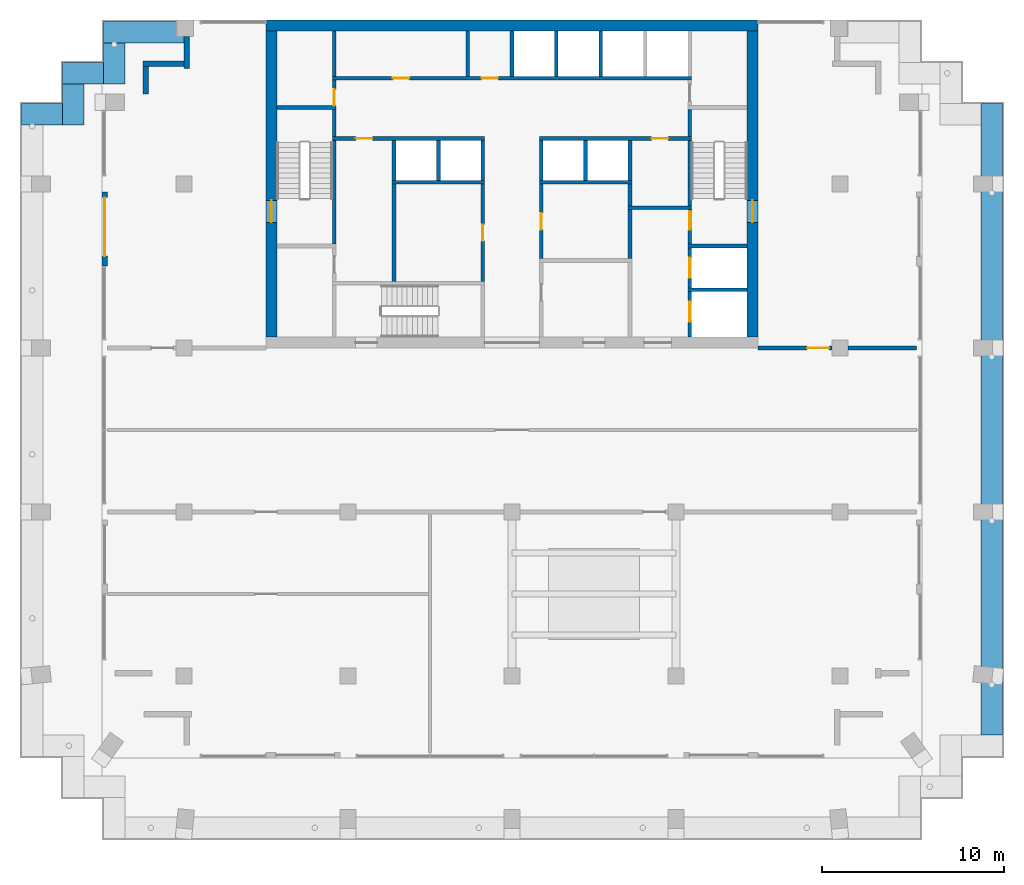
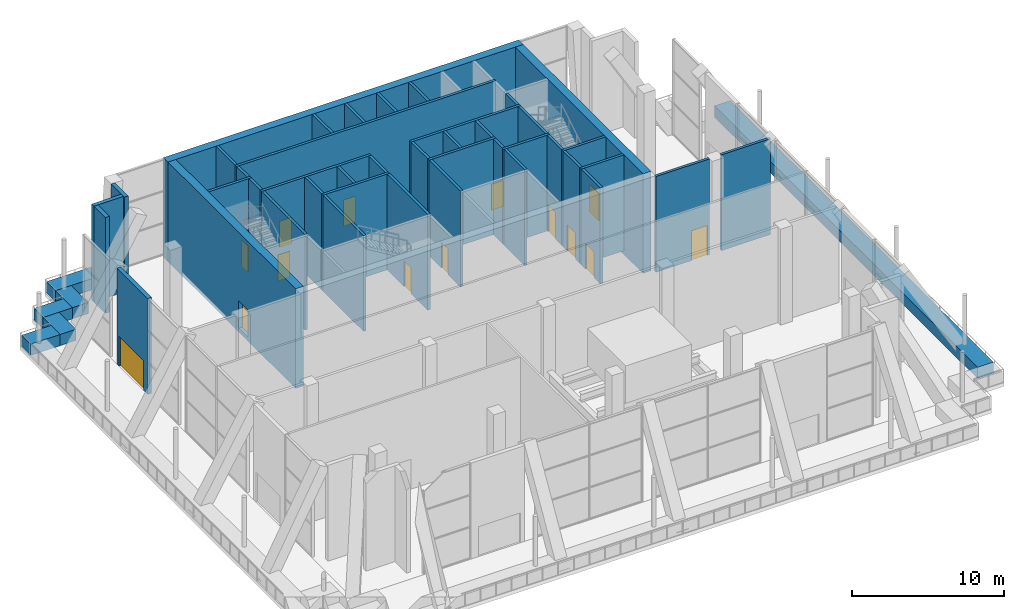
# One storey, part 8 of 12: 48 walls, 14 doors, 14 openings.
"""IFC4 building model written with IfcOpenShell, lengths in metres."""

from ifc_helpers import new_model, si_unit, direction, frame, frame_2d, origin, place, context, subcontext, project, spatial, rectangle, extrude, material, layer, layer_set, type_object, element, fill, save


model = new_model("IFC4")

# Units and contexts
model_context = context("Model", 3, precision=1e-05, world=origin(), true_north=direction((0.0, 1.0)))
body_context = subcontext(model_context, "Body", "Model", "MODEL_VIEW")
ifc_project = project(units=[si_unit("LENGTHUNIT", "METRE"), si_unit("AREAUNIT", "SQUARE_METRE"), si_unit("VOLUMEUNIT", "CUBIC_METRE"), si_unit("PLANEANGLEUNIT", "RADIAN"), si_unit("MASSUNIT", "GRAM", prefix="KILO")], contexts=[model_context])

# Site, building, storey
site_placement = place(None, origin())
site = spatial("IfcSite", under=ifc_project, at=site_placement, CompositionType="ELEMENT")
building_placement = place(site_placement, origin())
building = spatial("IfcBuilding", under=site, at=building_placement, Name="Orbiselva Terraces", CompositionType="ELEMENT")
storey_placement = place(building_placement, frame((0.0, 0.0, 289.4)))
storey = spatial("IfcBuildingStorey", under=building, at=storey_placement, Name="L73", CompositionType="ELEMENT", Elevation=289.4)

# Wall, opening, door
ifc_material_1 = material(Name="Concrete C80/95", Category="concrete")
ifc_layer_1 = layer(ifc_material_1, 0.6)
ifc_layer_set_1 = layer_set([ifc_layer_1], Name="Concrete C80/95")
wall_type_1 = type_object("IfcWallType", Name="CORE WALL 600", PredefinedType="SHEAR", material=ifc_layer_set_1)
wall_1_placement = place(storey_placement, frame((13.2, 5.1, -0.3), z_axis=(0.0, 0.0, 1.0), x_axis=(0.0, 1.0, 0.0)))
wall_1 = element("IfcWall", 1, at=wall_1_placement, inside=storey, type_object=wall_type_1, Name="Core wall L73 east", PredefinedType="SHEAR", context=body_context, shape_type="SweptSolid", body=[
    extrude(rectangle(XDim=16.8, YDim=0.6, at=frame_2d((8.4, 0.0))), origin(), (0.0, 0.0, 1.0), 8.0),
])
opening_1_placement = place(wall_1_placement, frame((6.3, 0.0, 0.3)))
opening_1 = element("IfcOpeningElement", 2, at=opening_1_placement, cuts=wall_1, Name="Opening DS1200", PredefinedType="OPENING", context=body_context, shape_type="SweptSolid", body=[
    extrude(rectangle(XDim=1.2, YDim=2.2, at=frame_2d((0.6, 1.1))), frame((0.0, 0.31, 0.0), z_axis=(0.0, -1.0, 0.0), x_axis=(1.0, 0.0, 0.0)), (0.0, 0.0, 1.0), 0.62),
])
ifc_material_2 = material(Name="Steel fire door", Category="steel")
door_type_1 = type_object("IfcDoorType", Name="STAIR DOOR 1200", OperationType="NOTDEFINED", PredefinedType="DOOR", material=ifc_material_2)
door_1_placement = place(opening_1_placement, frame((1.2, 0.0, 0.0), z_axis=(0.0, 0.0, 1.0), x_axis=(-1.0, 0.0, 0.0)))
door_1 = element("IfcDoor", 3, at=door_1_placement, inside=storey, type_object=door_type_1, Name="L73 EXIT STAIR S2 door", OperationType="SINGLE_SWING_LEFT", OverallHeight=2.2, OverallWidth=1.2, PredefinedType="DOOR", context=body_context, shape_type="SweptSolid", body=[
    extrude(rectangle(XDim=1.2, YDim=2.2, at=frame_2d((0.6, 1.1))), frame((0.0, 0.025, 0.0), z_axis=(0.0, -1.0, 0.0), x_axis=(1.0, 0.0, 0.0)), (0.0, 0.0, 1.0), 0.05),
])
fill(opening_1, door_1)

wall_2_placement = place(storey_placement, frame((-13.2, 21.9, -0.3), z_axis=(0.0, 0.0, 1.0), x_axis=(0.0, -1.0, 0.0)))
wall_2 = element("IfcWall", 4, at=wall_2_placement, inside=storey, type_object=wall_type_1, Name="Core wall L73 west", PredefinedType="SHEAR", context=body_context, shape_type="SweptSolid", body=[
    extrude(rectangle(XDim=16.8, YDim=0.6, at=frame_2d((8.4, 0.0))), origin(), (0.0, 0.0, 1.0), 8.0),
])
opening_2_placement = place(wall_2_placement, frame((9.3, 0.0, 0.3)))
opening_2 = element("IfcOpeningElement", 5, at=opening_2_placement, cuts=wall_2, Name="Opening DS1200", PredefinedType="OPENING", context=body_context, shape_type="SweptSolid", body=[
    extrude(rectangle(XDim=1.2, YDim=2.2, at=frame_2d((0.6, 1.1))), frame((0.0, 0.31, 0.0), z_axis=(0.0, -1.0, 0.0), x_axis=(1.0, 0.0, 0.0)), (0.0, 0.0, 1.0), 0.62),
])
door_2_placement = place(opening_2_placement, frame((1.2, 0.0, 0.0), z_axis=(0.0, 0.0, 1.0), x_axis=(-1.0, 0.0, 0.0)))
door_2 = element("IfcDoor", 6, at=door_2_placement, inside=storey, type_object=door_type_1, Name="L73 EXIT STAIR S1 door", OperationType="SINGLE_SWING_RIGHT", OverallHeight=2.2, OverallWidth=1.2, PredefinedType="DOOR", context=body_context, shape_type="SweptSolid", body=[
    extrude(rectangle(XDim=1.2, YDim=2.2, at=frame_2d((0.6, 1.1))), frame((0.0, 0.025, 0.0), z_axis=(0.0, -1.0, 0.0), x_axis=(1.0, 0.0, 0.0)), (0.0, 0.0, 1.0), 0.05),
])
fill(opening_2, door_2)

# Wall
ifc_layer_2 = layer(ifc_material_1, 0.6)
ifc_layer_set_2 = layer_set([ifc_layer_2], Name="Concrete C80/95")
wall_type_2 = type_object("IfcWallType", Name="CORE WALL 600 EXTERNAL", PredefinedType="SHEAR", material=ifc_layer_set_2)
wall_3_placement = place(storey_placement, frame((13.5, 22.2, -0.3), z_axis=(0.0, 0.0, 1.0), x_axis=(-1.0, 0.0, 0.0)))
element("IfcWall", 7, at=wall_3_placement, inside=storey, type_object=wall_type_2, Name="Core wall L73 north", PredefinedType="SHEAR", context=body_context, shape_type="SweptSolid", body=[
    extrude(rectangle(XDim=27.0, YDim=0.6, at=frame_2d((13.5, 0.0))), origin(), (0.0, 0.0, 1.0), 8.0),
])

# Wall, opening, door
ifc_material_3 = material(Name="Masonry blockwork", Category="masonry")
ifc_layer_3 = layer(ifc_material_3, 0.2)
ifc_layer_set_3 = layer_set([ifc_layer_3], Name="Masonry blockwork")
wall_type_3 = type_object("IfcWallType", Name="CORE-WALL-PARTITION-200", PredefinedType="PARTITIONING", material=ifc_layer_set_3)
wall_4_placement = place(storey_placement, frame((-9.75, 17.8, 0.0), z_axis=(0.0, 0.0, 1.0), x_axis=(0.0, 1.0, 0.0)))
wall_4 = element("IfcWall", 8, at=wall_4_placement, inside=storey, type_object=wall_type_3, Name="L73 core wall 09", PredefinedType="PARTITIONING", context=body_context, shape_type="SweptSolid", body=[
    extrude(rectangle(XDim=1.4, YDim=0.2, at=frame_2d((0.7, 0.0))), origin(), (0.0, 0.0, 1.0), 7.7),
])
opening_3_placement = place(wall_4_placement, origin())
opening_3 = element("IfcOpeningElement", 9, at=opening_3_placement, cuts=wall_4, Name="Opening DR900", PredefinedType="OPENING", context=body_context, shape_type="SweptSolid", body=[
    extrude(rectangle(XDim=0.9, YDim=2.1, at=frame_2d((0.45, 1.05))), frame((0.0, 0.11, 0.0), z_axis=(0.0, -1.0, 0.0), x_axis=(1.0, 0.0, 0.0)), (0.0, 0.0, 1.0), 0.22),
])
door_type_2 = type_object("IfcDoorType", Name="ROOM DOOR 900", OperationType="NOTDEFINED", PredefinedType="DOOR", material=ifc_material_2)
door_3_placement = place(opening_3_placement, origin())
door_3 = element("IfcDoor", 10, at=door_3_placement, inside=storey, type_object=door_type_2, Name="L73 COMMS RISER ROOM door", OperationType="SINGLE_SWING_LEFT", OverallHeight=2.1, OverallWidth=0.9, PredefinedType="DOOR", context=body_context, shape_type="SweptSolid", body=[
    extrude(rectangle(XDim=0.9, YDim=2.1, at=frame_2d((0.45, 1.05))), frame((0.0, 0.025, 0.0), z_axis=(0.0, -1.0, 0.0), x_axis=(1.0, 0.0, 0.0)), (0.0, 0.0, 1.0), 0.05),
])
fill(opening_3, door_3)

# Walls
wall_5_placement = place(storey_placement, frame((-9.75, 19.4, 0.0), z_axis=(0.0, 0.0, 1.0), x_axis=(0.0, 1.0, 0.0)))
element("IfcWall", 11, at=wall_5_placement, inside=storey, type_object=wall_type_3, Name="L73 core wall 11", PredefinedType="PARTITIONING", context=body_context, shape_type="SweptSolid", body=[
    extrude(rectangle(XDim=2.5, YDim=0.2, at=frame_2d((1.25, 0.0))), origin(), (0.0, 0.0, 1.0), 7.7),
])
wall_6_placement = place(storey_placement, frame((-6.475, 8.15, 0.0), z_axis=(0.0, 0.0, 1.0), x_axis=(0.0, 1.0, 0.0)))
element("IfcWall", 12, at=wall_6_placement, inside=storey, type_object=wall_type_3, Name="L73 core wall 12", PredefinedType="PARTITIONING", context=body_context, shape_type="SweptSolid", body=[
    extrude(rectangle(XDim=5.35, YDim=0.2, at=frame_2d((2.675, 0.0))), origin(), (0.0, 0.0, 1.0), 7.7),
])
wall_7_placement = place(storey_placement, frame((-2.4375, 19.4, 0.0), z_axis=(0.0, 0.0, 1.0), x_axis=(0.0, 1.0, 0.0)))
element("IfcWall", 13, at=wall_7_placement, inside=storey, type_object=wall_type_3, Name="L73 core wall 16", PredefinedType="PARTITIONING", context=body_context, shape_type="SweptSolid", body=[
    extrude(rectangle(XDim=2.5, YDim=0.2, at=frame_2d((1.25, 0.0))), origin(), (0.0, 0.0, 1.0), 7.7),
])
wall_8_placement = place(storey_placement, frame((6.475, 12.3, 0.0), z_axis=(0.0, 0.0, 1.0), x_axis=(0.0, 1.0, 0.0)))
element("IfcWall", 14, at=wall_8_placement, inside=storey, type_object=wall_type_3, Name="L73 core wall 33", PredefinedType="PARTITIONING", context=body_context, shape_type="SweptSolid", body=[
    extrude(rectangle(XDim=1.2, YDim=0.2, at=frame_2d((0.6, 0.0))), origin(), (0.0, 0.0, 1.0), 7.7),
])
ifc_material_4 = material(Name="Concrete C40/50", Category="concrete")
ifc_layer_4 = layer(ifc_material_4, 0.2)
ifc_layer_set_4 = layer_set([ifc_layer_4], Name="Concrete C40/50")
wall_type_4 = type_object("IfcWallType", Name="CORE-WALL-SHAFT-200", PredefinedType="PARTITIONING", material=ifc_layer_set_4)
for number, where, z_axis, x_axis, name in (
    (15, (-6.475, 13.7, 0.0), (0.0, 0.0, 1.0), (0.0, 1.0, 0.0), "L73 core wall 14"),
    (16, (-4.0375, 13.7, 0.0), (0.0, 0.0, 1.0), (0.0, 1.0, 0.0), "L73 core wall 15"),
    (17, (-1.6, 13.7, 0.0), (0.0, 0.0, 1.0), (0.0, 1.0, 0.0), "L73 core wall 19"),
):
    element("IfcWall", number, at=place(storey_placement, frame(where, z_axis=z_axis, x_axis=x_axis)), inside=storey, type_object=wall_type_4, Name=name, PredefinedType="PARTITIONING", context=body_context, shape_type="SweptSolid", body=[
        extrude(rectangle(XDim=2.2, YDim=0.2, at=frame_2d((1.1, 0.0))), origin(), (0.0, 0.0, 1.0), 7.7),
    ])
wall_9_placement = place(storey_placement, frame((0.0, 19.4, 0.0), z_axis=(0.0, 0.0, 1.0), x_axis=(0.0, 1.0, 0.0)))
element("IfcWall", 18, at=wall_9_placement, inside=storey, type_object=wall_type_4, Name="L73 core wall 20", PredefinedType="PARTITIONING", context=body_context, shape_type="SweptSolid", body=[
    extrude(rectangle(XDim=2.5, YDim=0.2, at=frame_2d((1.25, 0.0))), origin(), (0.0, 0.0, 1.0), 7.7),
])
wall_10_placement = place(storey_placement, frame((1.6, 13.7, 0.0), z_axis=(0.0, 0.0, 1.0), x_axis=(0.0, 1.0, 0.0)))
element("IfcWall", 19, at=wall_10_placement, inside=storey, type_object=wall_type_4, Name="L73 core wall 25", PredefinedType="PARTITIONING", context=body_context, shape_type="SweptSolid", body=[
    extrude(rectangle(XDim=2.2, YDim=0.2, at=frame_2d((1.1, 0.0))), origin(), (0.0, 0.0, 1.0), 7.7),
])
wall_11_placement = place(storey_placement, frame((2.4375, 19.4, 0.0), z_axis=(0.0, 0.0, 1.0), x_axis=(0.0, 1.0, 0.0)))
element("IfcWall", 20, at=wall_11_placement, inside=storey, type_object=wall_type_4, Name="L73 core wall 27", PredefinedType="PARTITIONING", context=body_context, shape_type="SweptSolid", body=[
    extrude(rectangle(XDim=2.5, YDim=0.2, at=frame_2d((1.25, 0.0))), origin(), (0.0, 0.0, 1.0), 7.7),
])
wall_12_placement = place(storey_placement, frame((4.0375, 13.7, 0.0), z_axis=(0.0, 0.0, 1.0), x_axis=(0.0, 1.0, 0.0)))
element("IfcWall", 21, at=wall_12_placement, inside=storey, type_object=wall_type_4, Name="L73 core wall 28", PredefinedType="PARTITIONING", context=body_context, shape_type="SweptSolid", body=[
    extrude(rectangle(XDim=2.2, YDim=0.2, at=frame_2d((1.1, 0.0))), origin(), (0.0, 0.0, 1.0), 7.7),
])
wall_13_placement = place(storey_placement, frame((4.875, 19.4, 0.0), z_axis=(0.0, 0.0, 1.0), x_axis=(0.0, 1.0, 0.0)))
element("IfcWall", 22, at=wall_13_placement, inside=storey, type_object=wall_type_4, Name="L73 core wall 29", PredefinedType="PARTITIONING", context=body_context, shape_type="SweptSolid", body=[
    extrude(rectangle(XDim=2.5, YDim=0.2, at=frame_2d((1.25, 0.0))), origin(), (0.0, 0.0, 1.0), 7.7),
])
wall_14_placement = place(storey_placement, frame((6.475, 13.7, 0.0), z_axis=(0.0, 0.0, 1.0), x_axis=(0.0, 1.0, 0.0)))
element("IfcWall", 23, at=wall_14_placement, inside=storey, type_object=wall_type_4, Name="L73 core wall 34", PredefinedType="PARTITIONING", context=body_context, shape_type="SweptSolid", body=[
    extrude(rectangle(XDim=2.2, YDim=0.2, at=frame_2d((1.1, 0.0))), origin(), (0.0, 0.0, 1.0), 7.7),
])
ifc_material_5 = material(Name="Concrete C60/75", Category="concrete")
ifc_layer_5 = layer(ifc_material_5, 0.2)
ifc_layer_set_5 = layer_set([ifc_layer_5], Name="Concrete C60/75")
wall_type_5 = type_object("IfcWallType", Name="CORE-WALL-SHEAR-200", PredefinedType="SHEAR", material=ifc_layer_set_5)
wall_15_placement = place(storey_placement, frame((-12.9, 17.7, 0.0), z_axis=(0.0, 0.0, 1.0), x_axis=(1.0, 0.0, 0.0)))
element("IfcWall", 24, at=wall_15_placement, inside=storey, type_object=wall_type_5, Name="L73 core wall 02", PredefinedType="SHEAR", context=body_context, shape_type="SweptSolid", body=[
    extrude(rectangle(XDim=3.25, YDim=0.2, at=frame_2d((1.625, 0.0))), origin(), (0.0, 0.0, 1.0), 7.7),
])
wall_16_placement = place(storey_placement, frame((-9.75, 10.2, 0.0), z_axis=(0.0, 0.0, 1.0), x_axis=(0.0, 1.0, 0.0)))
element("IfcWall", 25, at=wall_16_placement, inside=storey, type_object=wall_type_5, Name="L73 core wall 06", PredefinedType="SHEAR", context=body_context, shape_type="SweptSolid", body=[
    extrude(rectangle(XDim=5.7, YDim=0.2, at=frame_2d((2.85, 0.0))), origin(), (0.0, 0.0, 1.0), 7.7),
])

# Wall, opening, door
wall_17_placement = place(storey_placement, frame((-1.5, 16.0, 0.0), z_axis=(0.0, 0.0, 1.0), x_axis=(-1.0, 0.0, 0.0)))
wall_17 = element("IfcWall", 26, at=wall_17_placement, inside=storey, type_object=wall_type_5, Name="L73 core wall 07", PredefinedType="SHEAR", context=body_context, shape_type="SweptSolid", body=[
    extrude(rectangle(XDim=8.35, YDim=0.2, at=frame_2d((4.175, 0.0))), origin(), (0.0, 0.0, 1.0), 7.7),
])
opening_4_placement = place(wall_17_placement, frame((6.1625, 0.0, 0.0)))
opening_4 = element("IfcOpeningElement", 27, at=opening_4_placement, cuts=wall_17, Name="Opening DR900", PredefinedType="OPENING", context=body_context, shape_type="SweptSolid", body=[
    extrude(rectangle(XDim=0.9, YDim=2.1, at=frame_2d((0.45, 1.05))), frame((0.0, 0.11, 0.0), z_axis=(0.0, -1.0, 0.0), x_axis=(1.0, 0.0, 0.0)), (0.0, 0.0, 1.0), 0.22),
])
door_4_placement = place(opening_4_placement, origin())
door_4 = element("IfcDoor", 28, at=door_4_placement, inside=storey, type_object=door_type_2, Name="L73 MECHANICAL PLANT ROOM door", OperationType="SINGLE_SWING_RIGHT", OverallHeight=2.1, OverallWidth=0.9, PredefinedType="DOOR", context=body_context, shape_type="SweptSolid", body=[
    extrude(rectangle(XDim=0.9, YDim=2.1, at=frame_2d((0.45, 1.05))), frame((0.0, 0.025, 0.0), z_axis=(0.0, -1.0, 0.0), x_axis=(1.0, 0.0, 0.0)), (0.0, 0.0, 1.0), 0.05),
])
fill(opening_4, door_4)

# Wall
wall_18_placement = place(storey_placement, frame((-9.75, 16.1, 0.0), z_axis=(0.0, 0.0, 1.0), x_axis=(0.0, 1.0, 0.0)))
element("IfcWall", 29, at=wall_18_placement, inside=storey, type_object=wall_type_5, Name="L73 core wall 08", PredefinedType="SHEAR", context=body_context, shape_type="SweptSolid", body=[
    extrude(rectangle(XDim=1.5, YDim=0.2, at=frame_2d((0.75, 0.0))), origin(), (0.0, 0.0, 1.0), 7.7),
])

# Wall, openings, doors
wall_19_placement = place(storey_placement, frame((-9.85, 19.3, 0.0), z_axis=(0.0, 0.0, 1.0), x_axis=(1.0, 0.0, 0.0)))
wall_19 = element("IfcWall", 30, at=wall_19_placement, inside=storey, type_object=wall_type_5, Name="L73 core wall 10", PredefinedType="SHEAR", context=body_context, shape_type="SweptSolid", body=[
    extrude(rectangle(XDim=19.7, YDim=0.2, at=frame_2d((9.85, 0.0))), origin(), (0.0, 0.0, 1.0), 7.7),
])
opening_5_placement = place(wall_19_placement, frame((3.3062, 0.0, 0.0)))
opening_5 = element("IfcOpeningElement", 31, at=opening_5_placement, cuts=wall_19, Name="Opening DR900", PredefinedType="OPENING", context=body_context, shape_type="SweptSolid", body=[
    extrude(rectangle(XDim=0.9, YDim=2.1, at=frame_2d((0.45, 1.05))), frame((0.0, 0.11, 0.0), z_axis=(0.0, -1.0, 0.0), x_axis=(1.0, 0.0, 0.0)), (0.0, 0.0, 1.0), 0.22),
])
opening_6_placement = place(wall_19_placement, frame((8.1812, 0.0, 0.0)))
opening_6 = element("IfcOpeningElement", 32, at=opening_6_placement, cuts=wall_19, Name="Opening DR900", PredefinedType="OPENING", context=body_context, shape_type="SweptSolid", body=[
    extrude(rectangle(XDim=0.9, YDim=2.1, at=frame_2d((0.45, 1.05))), frame((0.0, 0.11, 0.0), z_axis=(0.0, -1.0, 0.0), x_axis=(1.0, 0.0, 0.0)), (0.0, 0.0, 1.0), 0.22),
])
door_5_placement = place(opening_5_placement, origin())
door_5 = element("IfcDoor", 33, at=door_5_placement, inside=storey, type_object=door_type_2, Name="L73 SERVICE LOUNGE door", OperationType="SINGLE_SWING_LEFT", OverallHeight=2.1, OverallWidth=0.9, PredefinedType="DOOR", context=body_context, shape_type="SweptSolid", body=[
    extrude(rectangle(XDim=0.9, YDim=2.1, at=frame_2d((0.45, 1.05))), frame((0.0, 0.025, 0.0), z_axis=(0.0, -1.0, 0.0), x_axis=(1.0, 0.0, 0.0)), (0.0, 0.0, 1.0), 0.05),
])
fill(opening_5, door_5)
door_6_placement = place(opening_6_placement, origin())
door_6 = element("IfcDoor", 34, at=door_6_placement, inside=storey, type_object=door_type_2, Name="L73 STAFF WC door", OperationType="SINGLE_SWING_LEFT", OverallHeight=2.1, OverallWidth=0.9, PredefinedType="DOOR", context=body_context, shape_type="SweptSolid", body=[
    extrude(rectangle(XDim=0.9, YDim=2.1, at=frame_2d((0.45, 1.05))), frame((0.0, 0.025, 0.0), z_axis=(0.0, -1.0, 0.0), x_axis=(1.0, 0.0, 0.0)), (0.0, 0.0, 1.0), 0.05),
])
fill(opening_6, door_6)

# Wall
wall_20_placement = place(storey_placement, frame((-6.575, 13.6, 0.0), z_axis=(0.0, 0.0, 1.0), x_axis=(1.0, 0.0, 0.0)))
element("IfcWall", 35, at=wall_20_placement, inside=storey, type_object=wall_type_5, Name="L73 core wall 13", PredefinedType="SHEAR", context=body_context, shape_type="SweptSolid", body=[
    extrude(rectangle(XDim=5.075, YDim=0.2, at=frame_2d((2.5375, 0.0))), origin(), (0.0, 0.0, 1.0), 7.7),
])

# Wall, opening, door
wall_21_placement = place(storey_placement, frame((-1.6, 8.15, 0.0), z_axis=(0.0, 0.0, 1.0), x_axis=(0.0, 1.0, 0.0)))
wall_21 = element("IfcWall", 36, at=wall_21_placement, inside=storey, type_object=wall_type_5, Name="L73 core wall 18", PredefinedType="SHEAR", context=body_context, shape_type="SweptSolid", body=[
    extrude(rectangle(XDim=5.35, YDim=0.2, at=frame_2d((2.675, 0.0))), origin(), (0.0, 0.0, 1.0), 7.7),
])
opening_7_placement = place(wall_21_placement, frame((2.225, 0.0, 0.0)))
opening_7 = element("IfcOpeningElement", 37, at=opening_7_placement, cuts=wall_21, Name="Opening DR900", PredefinedType="OPENING", context=body_context, shape_type="SweptSolid", body=[
    extrude(rectangle(XDim=0.9, YDim=2.1, at=frame_2d((0.45, 1.05))), frame((0.0, 0.11, 0.0), z_axis=(0.0, -1.0, 0.0), x_axis=(1.0, 0.0, 0.0)), (0.0, 0.0, 1.0), 0.22),
])
door_7_placement = place(opening_7_placement, origin())
door_7 = element("IfcDoor", 38, at=door_7_placement, inside=storey, type_object=door_type_2, Name="L73 HYDRAULIC PLANT ROOM door", OperationType="SINGLE_SWING_RIGHT", OverallHeight=2.1, OverallWidth=0.9, PredefinedType="DOOR", context=body_context, shape_type="SweptSolid", body=[
    extrude(rectangle(XDim=0.9, YDim=2.1, at=frame_2d((0.45, 1.05))), frame((0.0, 0.025, 0.0), z_axis=(0.0, -1.0, 0.0), x_axis=(1.0, 0.0, 0.0)), (0.0, 0.0, 1.0), 0.05),
])
fill(opening_7, door_7)

wall_22_placement = place(storey_placement, frame((1.6, 13.5, 0.0), z_axis=(0.0, 0.0, 1.0), x_axis=(0.0, -1.0, 0.0)))
wall_22 = element("IfcWall", 39, at=wall_22_placement, inside=storey, type_object=wall_type_5, Name="L73 core wall 23", PredefinedType="SHEAR", context=body_context, shape_type="SweptSolid", body=[
    extrude(rectangle(XDim=4.1, YDim=0.2, at=frame_2d((2.05, 0.0))), origin(), (0.0, 0.0, 1.0), 7.7),
])
opening_8_placement = place(wall_22_placement, frame((1.6, 0.0, 0.0)))
opening_8 = element("IfcOpeningElement", 40, at=opening_8_placement, cuts=wall_22, Name="Opening DR900", PredefinedType="OPENING", context=body_context, shape_type="SweptSolid", body=[
    extrude(rectangle(XDim=0.9, YDim=2.1, at=frame_2d((0.45, 1.05))), frame((0.0, 0.11, 0.0), z_axis=(0.0, -1.0, 0.0), x_axis=(1.0, 0.0, 0.0)), (0.0, 0.0, 1.0), 0.22),
])
door_8_placement = place(opening_8_placement, origin())
door_8 = element("IfcDoor", 41, at=door_8_placement, inside=storey, type_object=door_type_2, Name="L73 BMS CONTROL ROOM door", OperationType="SINGLE_SWING_RIGHT", OverallHeight=2.1, OverallWidth=0.9, PredefinedType="DOOR", context=body_context, shape_type="SweptSolid", body=[
    extrude(rectangle(XDim=0.9, YDim=2.1, at=frame_2d((0.45, 1.05))), frame((0.0, 0.025, 0.0), z_axis=(0.0, -1.0, 0.0), x_axis=(1.0, 0.0, 0.0)), (0.0, 0.0, 1.0), 0.05),
])
fill(opening_8, door_8)

# Wall
wall_23_placement = place(storey_placement, frame((1.5, 13.6, 0.0), z_axis=(0.0, 0.0, 1.0), x_axis=(1.0, 0.0, 0.0)))
element("IfcWall", 42, at=wall_23_placement, inside=storey, type_object=wall_type_5, Name="L73 core wall 24", PredefinedType="SHEAR", context=body_context, shape_type="SweptSolid", body=[
    extrude(rectangle(XDim=5.075, YDim=0.2, at=frame_2d((2.5375, 0.0))), origin(), (0.0, 0.0, 1.0), 7.7),
])

# Wall, opening, door
wall_24_placement = place(storey_placement, frame((9.85, 16.0, 0.0), z_axis=(0.0, 0.0, 1.0), x_axis=(-1.0, 0.0, 0.0)))
wall_24 = element("IfcWall", 43, at=wall_24_placement, inside=storey, type_object=wall_type_5, Name="L73 core wall 26", PredefinedType="SHEAR", context=body_context, shape_type="SweptSolid", body=[
    extrude(rectangle(XDim=8.35, YDim=0.2, at=frame_2d((4.175, 0.0))), origin(), (0.0, 0.0, 1.0), 7.7),
])
opening_9_placement = place(wall_24_placement, frame((1.2875, 0.0, 0.0)))
opening_9 = element("IfcOpeningElement", 44, at=opening_9_placement, cuts=wall_24, Name="Opening DR900", PredefinedType="OPENING", context=body_context, shape_type="SweptSolid", body=[
    extrude(rectangle(XDim=0.9, YDim=2.1, at=frame_2d((0.45, 1.05))), frame((0.0, 0.11, 0.0), z_axis=(0.0, -1.0, 0.0), x_axis=(1.0, 0.0, 0.0)), (0.0, 0.0, 1.0), 0.22),
])
door_9_placement = place(opening_9_placement, origin())
door_9 = element("IfcDoor", 45, at=door_9_placement, inside=storey, type_object=door_type_2, Name="L73 PIPE RISER ROOM door", OperationType="SINGLE_SWING_LEFT", OverallHeight=2.1, OverallWidth=0.9, PredefinedType="DOOR", context=body_context, shape_type="SweptSolid", body=[
    extrude(rectangle(XDim=0.9, YDim=2.1, at=frame_2d((0.45, 1.05))), frame((0.0, 0.025, 0.0), z_axis=(0.0, -1.0, 0.0), x_axis=(1.0, 0.0, 0.0)), (0.0, 0.0, 1.0), 0.05),
])
fill(opening_9, door_9)

# Walls
wall_25_placement = place(storey_placement, frame((6.475, 9.4, 0.0), z_axis=(0.0, 0.0, 1.0), x_axis=(0.0, 1.0, 0.0)))
element("IfcWall", 46, at=wall_25_placement, inside=storey, type_object=wall_type_5, Name="L73 core wall 31", PredefinedType="SHEAR", context=body_context, shape_type="SweptSolid", body=[
    extrude(rectangle(XDim=2.7, YDim=0.2, at=frame_2d((1.35, 0.0))), origin(), (0.0, 0.0, 1.0), 7.7),
])
wall_26_placement = place(storey_placement, frame((6.375, 12.2, 0.0), z_axis=(0.0, 0.0, 1.0), x_axis=(1.0, 0.0, 0.0)))
element("IfcWall", 47, at=wall_26_placement, inside=storey, type_object=wall_type_5, Name="L73 core wall 32", PredefinedType="SHEAR", context=body_context, shape_type="SweptSolid", body=[
    extrude(rectangle(XDim=3.475, YDim=0.2, at=frame_2d((1.7375, 0.0))), origin(), (0.0, 0.0, 1.0), 7.7),
])

# Wall, opening, door
wall_27_placement = place(storey_placement, frame((9.75, 5.1, 0.0), z_axis=(0.0, 0.0, 1.0), x_axis=(0.0, 1.0, 0.0)))
wall_27 = element("IfcWall", 48, at=wall_27_placement, inside=storey, type_object=wall_type_5, Name="L73 core wall 36", PredefinedType="SHEAR", context=body_context, shape_type="SweptSolid", body=[
    extrude(rectangle(XDim=2.5, YDim=0.2, at=frame_2d((1.25, 0.0))), origin(), (0.0, 0.0, 1.0), 7.7),
])
opening_10_placement = place(wall_27_placement, frame((0.85, 0.0, 0.0)))
opening_10 = element("IfcOpeningElement", 49, at=opening_10_placement, cuts=wall_27, Name="Opening LD-FF1", PredefinedType="OPENING", context=body_context, shape_type="SweptSolid", body=[
    extrude(rectangle(XDim=1.1, YDim=2.1, at=frame_2d((0.55, 1.05))), frame((0.0, 0.11, 0.0), z_axis=(0.0, -1.0, 0.0), x_axis=(1.0, 0.0, 0.0)), (0.0, 0.0, 1.0), 0.22),
])
ifc_material_6 = material(Name="Stainless steel landing door", Category="steel")
door_type_3 = type_object("IfcDoorType", Name="LANDING DOOR 1100", OperationType="SLIDING_TO_LEFT", PredefinedType="DOOR", material=ifc_material_6)
door_10_placement = place(opening_10_placement, origin())
door_10 = element("IfcDoor", 50, at=door_10_placement, inside=storey, type_object=door_type_3, Name="L73 landing door FF1", OperationType="SLIDING_TO_RIGHT", OverallHeight=2.1, OverallWidth=1.1, PredefinedType="DOOR", context=body_context, shape_type="SweptSolid", body=[
    extrude(rectangle(XDim=1.1, YDim=2.1, at=frame_2d((0.55, 1.05))), frame((0.0, 0.025, 0.0), z_axis=(0.0, -1.0, 0.0), x_axis=(1.0, 0.0, 0.0)), (0.0, 0.0, 1.0), 0.05),
])
fill(opening_10, door_10)

# Wall
wall_28_placement = place(storey_placement, frame((9.65, 7.7, 0.0), z_axis=(0.0, 0.0, 1.0), x_axis=(1.0, 0.0, 0.0)))
element("IfcWall", 51, at=wall_28_placement, inside=storey, type_object=wall_type_5, Name="L73 core wall 37", PredefinedType="SHEAR", context=body_context, shape_type="SweptSolid", body=[
    extrude(rectangle(XDim=3.25, YDim=0.2, at=frame_2d((1.625, 0.0))), origin(), (0.0, 0.0, 1.0), 7.7),
])

# Wall, opening, door
wall_29_placement = place(storey_placement, frame((9.75, 7.8, 0.0), z_axis=(0.0, 0.0, 1.0), x_axis=(0.0, 1.0, 0.0)))
wall_29 = element("IfcWall", 52, at=wall_29_placement, inside=storey, type_object=wall_type_5, Name="L73 core wall 38", PredefinedType="SHEAR", context=body_context, shape_type="SweptSolid", body=[
    extrude(rectangle(XDim=2.2, YDim=0.2, at=frame_2d((1.1, 0.0))), origin(), (0.0, 0.0, 1.0), 7.7),
])
opening_11_placement = place(wall_29_placement, frame((0.55, 0.0, 0.0)))
opening_11 = element("IfcOpeningElement", 53, at=opening_11_placement, cuts=wall_29, Name="Opening LD-FF2", PredefinedType="OPENING", context=body_context, shape_type="SweptSolid", body=[
    extrude(rectangle(XDim=1.1, YDim=2.1, at=frame_2d((0.55, 1.05))), frame((0.0, 0.11, 0.0), z_axis=(0.0, -1.0, 0.0), x_axis=(1.0, 0.0, 0.0)), (0.0, 0.0, 1.0), 0.22),
])
door_11_placement = place(opening_11_placement, origin())
door_11 = element("IfcDoor", 54, at=door_11_placement, inside=storey, type_object=door_type_3, Name="L73 landing door FF2", OperationType="SLIDING_TO_RIGHT", OverallHeight=2.1, OverallWidth=1.1, PredefinedType="DOOR", context=body_context, shape_type="SweptSolid", body=[
    extrude(rectangle(XDim=1.1, YDim=2.1, at=frame_2d((0.55, 1.05))), frame((0.0, 0.025, 0.0), z_axis=(0.0, -1.0, 0.0), x_axis=(1.0, 0.0, 0.0)), (0.0, 0.0, 1.0), 0.05),
])
fill(opening_11, door_11)

# Wall
wall_30_placement = place(storey_placement, frame((9.65, 10.1, 0.0), z_axis=(0.0, 0.0, 1.0), x_axis=(1.0, 0.0, 0.0)))
element("IfcWall", 55, at=wall_30_placement, inside=storey, type_object=wall_type_5, Name="L73 core wall 39", PredefinedType="SHEAR", context=body_context, shape_type="SweptSolid", body=[
    extrude(rectangle(XDim=3.25, YDim=0.2, at=frame_2d((1.625, 0.0))), origin(), (0.0, 0.0, 1.0), 7.7),
])

# Wall, opening, door
wall_31_placement = place(storey_placement, frame((9.75, 12.1, 0.0), z_axis=(0.0, 0.0, 1.0), x_axis=(0.0, -1.0, 0.0)))
wall_31 = element("IfcWall", 56, at=wall_31_placement, inside=storey, type_object=wall_type_5, Name="L73 core wall 40", PredefinedType="SHEAR", context=body_context, shape_type="SweptSolid", body=[
    extrude(rectangle(XDim=1.9, YDim=0.2, at=frame_2d((0.95, 0.0))), origin(), (0.0, 0.0, 1.0), 7.7),
])
opening_12_placement = place(wall_31_placement, frame((0.1, 0.0, 0.0)))
opening_12 = element("IfcOpeningElement", 57, at=opening_12_placement, cuts=wall_31, Name="Opening DS1000", PredefinedType="OPENING", context=body_context, shape_type="SweptSolid", body=[
    extrude(rectangle(XDim=1.0, YDim=2.2, at=frame_2d((0.5, 1.1))), frame((0.0, 0.11, 0.0), z_axis=(0.0, -1.0, 0.0), x_axis=(1.0, 0.0, 0.0)), (0.0, 0.0, 1.0), 0.22),
])
door_type_4 = type_object("IfcDoorType", Name="STAIR DOOR 1000", OperationType="NOTDEFINED", PredefinedType="DOOR", material=ifc_material_2)
door_12_placement = place(opening_12_placement, origin())
door_12 = element("IfcDoor", 58, at=door_12_placement, inside=storey, type_object=door_type_4, Name="L73 FIRE-FIGHTING LOBBY TO EXIT STAIR S2 door", OperationType="SINGLE_SWING_LEFT", OverallHeight=2.2, OverallWidth=1.0, PredefinedType="DOOR", context=body_context, shape_type="SweptSolid", body=[
    extrude(rectangle(XDim=1.0, YDim=2.2, at=frame_2d((0.5, 1.1))), frame((0.0, 0.025, 0.0), z_axis=(0.0, -1.0, 0.0), x_axis=(1.0, 0.0, 0.0)), (0.0, 0.0, 1.0), 0.05),
])
fill(opening_12, door_12)

# Walls
wall_32_placement = place(storey_placement, frame((9.75, 12.3, 0.0), z_axis=(0.0, 0.0, 1.0), x_axis=(0.0, 1.0, 0.0)))
element("IfcWall", 59, at=wall_32_placement, inside=storey, type_object=wall_type_5, Name="L73 core wall 41", PredefinedType="SHEAR", context=body_context, shape_type="SweptSolid", body=[
    extrude(rectangle(XDim=3.6, YDim=0.2, at=frame_2d((1.8, 0.0))), origin(), (0.0, 0.0, 1.0), 7.7),
])
wall_33_placement = place(storey_placement, frame((9.75, 16.1, 0.0), z_axis=(0.0, 0.0, 1.0), x_axis=(0.0, 1.0, 0.0)))
element("IfcWall", 60, at=wall_33_placement, inside=storey, type_object=wall_type_5, Name="L73 core wall 42", PredefinedType="SHEAR", context=body_context, shape_type="SweptSolid", body=[
    extrude(rectangle(XDim=1.5, YDim=0.2, at=frame_2d((0.75, 0.0))), origin(), (0.0, 0.0, 1.0), 7.7),
])
ifc_layer_6 = layer(ifc_material_4, 1.2)
ifc_layer_set_6 = layer_set([ifc_layer_6], Name="Concrete C40/50")
wall_type_6 = type_object("IfcWallType", Name="ENV-GARDEN-BED-1200x900", PredefinedType="USERDEFINED", material=ifc_layer_set_6)
wall_34_placement = place(storey_placement, frame((-18.0, 21.83, 0.0), z_axis=(0.0, 0.0, 1.0), x_axis=(-1.0, 0.0, 0.0)))
element("IfcWall", 61, at=wall_34_placement, inside=storey, type_object=wall_type_6, Name="Planter bed L73 ring", ObjectType="PLANTER", PredefinedType="USERDEFINED", context=body_context, shape_type="SweptSolid", body=[
    extrude(rectangle(XDim=4.43, YDim=1.2, at=frame_2d((2.215, 0.0))), origin(), (0.0, 0.0, 1.0), 0.9),
])
for number, where, z_axis, x_axis, name in (
    (62, (-21.83, 21.23, 0.0), (0.0, 0.0, 1.0), (0.0, -1.0, 0.0), "Planter bed L73 ring"),
    (63, (-22.43, 19.58, 0.0), (0.0, 0.0, 1.0), (-1.0, 0.0, 0.0), "Planter bed L73 ring"),
    (64, (-24.08, 18.98, 0.0), (0.0, 0.0, 1.0), (0.0, -1.0, 0.0), "Planter bed L73 ring"),
    (65, (-24.68, 17.33, 0.0), (0.0, 0.0, 1.0), (-1.0, 0.0, 0.0), "Planter bed L73 ring"),
):
    element("IfcWall", number, at=place(storey_placement, frame(where, z_axis=z_axis, x_axis=x_axis)), inside=storey, type_object=wall_type_6, Name=name, ObjectType="PLANTER", PredefinedType="USERDEFINED", context=body_context, shape_type="SweptSolid", body=[
        extrude(rectangle(XDim=2.25, YDim=1.2, at=frame_2d((1.125, 0.0))), origin(), (0.0, 0.0, 1.0), 0.9),
    ])
wall_35_placement = place(storey_placement, frame((26.33, -16.73, 0.0), z_axis=(0.0, 0.0, 1.0), x_axis=(0.0, 1.0, 0.0)))
element("IfcWall", 66, at=wall_35_placement, inside=storey, type_object=wall_type_6, Name="Planter bed L73 ring", ObjectType="PLANTER", PredefinedType="USERDEFINED", context=body_context, shape_type="SweptSolid", body=[
    extrude(rectangle(XDim=34.66, YDim=1.2, at=frame_2d((17.33, 0.0))), origin(), (0.0, 0.0, 1.0), 0.9),
])
ifc_material_7 = material(Name="Terracotta cladding on masonry backing", Category="masonry")
ifc_layer_7 = layer(ifc_material_7, 0.3)
ifc_layer_set_7 = layer_set([ifc_layer_7], Name="Terracotta cladding on masonry backing")
wall_type_7 = type_object("IfcWallType", Name="ENV-WALL-TERRACOTTA-300", PredefinedType="SOLIDWALL", material=ifc_layer_set_7)
wall_36_placement = place(storey_placement, frame((-17.85, 19.85, 0.0), z_axis=(0.0, 0.0, 1.0), x_axis=(0.0, 1.0, 0.0)))
element("IfcWall", 67, at=wall_36_placement, inside=storey, type_object=wall_type_7, Name="Facade wall L73 STEP", PredefinedType="SOLIDWALL", context=body_context, shape_type="SweptSolid", body=[
    extrude(rectangle(XDim=1.75, YDim=0.3, at=frame_2d((0.875, 0.0))), origin(), (0.0, 0.0, 1.0), 7.7),
])
wall_37_placement = place(storey_placement, frame((-20.25, 20.1, 0.0), z_axis=(0.0, 0.0, 1.0), x_axis=(1.0, 0.0, 0.0)))
element("IfcWall", 68, at=wall_37_placement, inside=storey, type_object=wall_type_7, Name="Facade wall L73 STEP", PredefinedType="SOLIDWALL", context=body_context, shape_type="SweptSolid", body=[
    extrude(rectangle(XDim=2.25, YDim=0.3, at=frame_2d((1.125, 0.0))), origin(), (0.0, 0.0, 1.0), 7.7),
])
wall_38_placement = place(storey_placement, frame((-20.1, 18.45, 0.0), z_axis=(0.0, 0.0, 1.0), x_axis=(0.0, 1.0, 0.0)))
element("IfcWall", 69, at=wall_38_placement, inside=storey, type_object=wall_type_7, Name="Facade wall L73 STEP", PredefinedType="SOLIDWALL", context=body_context, shape_type="SweptSolid", body=[
    extrude(rectangle(XDim=1.5, YDim=0.3, at=frame_2d((0.75, 0.0))), origin(), (0.0, 0.0, 1.0), 7.7),
])

# Wall, opening, door
wall_39_placement = place(storey_placement, frame((-22.35, 9.0, 0.0), z_axis=(0.0, 0.0, 1.0), x_axis=(0.0, 1.0, 0.0)))
wall_39 = element("IfcWall", 70, at=wall_39_placement, inside=storey, type_object=wall_type_7, Name="Facade wall L73 W", PredefinedType="SOLIDWALL", context=body_context, shape_type="SweptSolid", body=[
    extrude(rectangle(XDim=4.05, YDim=0.3, at=frame_2d((2.025, 0.0))), origin(), (0.0, 0.0, 1.0), 7.7),
])
opening_13_placement = place(wall_39_placement, frame((0.55, 0.0, 0.0)))
opening_13 = element("IfcOpeningElement", 71, at=opening_13_placement, cuts=wall_39, Name="Opening DAMPER-E05", PredefinedType="OPENING", context=body_context, shape_type="SweptSolid", body=[
    extrude(rectangle(XDim=3.2, YDim=2.4, at=frame_2d((1.6, 1.2))), frame((0.0, 0.16, 0.0), z_axis=(0.0, -1.0, 0.0), x_axis=(1.0, 0.0, 0.0)), (0.0, 0.0, 1.0), 0.32),
])
ifc_material_8 = material(Name="Clear low-e glazing in aluminium frame", Category="aluminium")
door_type_5 = type_object("IfcDoorType", Name="TERRACE DOOR 3200 X 2400", OperationType="DOUBLE_DOOR_SINGLE_SWING", PredefinedType="DOOR", material=ifc_material_8)
door_13_placement = place(opening_13_placement, origin())
door_13 = element("IfcDoor", 72, at=door_13_placement, inside=storey, type_object=door_type_5, Name="DAMPER-E05", OperationType="SINGLE_SWING_LEFT", OverallHeight=2.4, OverallWidth=3.2, PredefinedType="DOOR", context=body_context, shape_type="SweptSolid", body=[
    extrude(rectangle(XDim=3.2, YDim=2.4, at=frame_2d((1.6, 1.2))), frame((0.0, 0.025, 0.0), z_axis=(0.0, -1.0, 0.0), x_axis=(1.0, 0.0, 0.0)), (0.0, 0.0, 1.0), 0.05),
])
fill(opening_13, door_13)

ifc_material_9 = material(Name="Plasterboard on steel stud partition", Category="steel")
ifc_layer_8 = layer(ifc_material_9, 0.2)
ifc_layer_set_8 = layer_set([ifc_layer_8], Name="Plasterboard on steel stud partition")
wall_type_8 = type_object("IfcWallType", Name="UNIT-ENTRANCE-WALL-200", PredefinedType="PARTITIONING", material=ifc_layer_set_8)
wall_40_placement = place(storey_placement, frame((17.55, 4.5, 0.0), z_axis=(0.0, 0.0, 1.0), x_axis=(-1.0, 0.0, 0.0)))
wall_40 = element("IfcWall", 73, at=wall_40_placement, inside=storey, type_object=wall_type_8, Name="PARTITION L73-011", PredefinedType="PARTITIONING", context=body_context, shape_type="SweptSolid", body=[
    extrude(rectangle(XDim=4.05, YDim=0.2, at=frame_2d((2.025, 0.0))), origin(), (0.0, 0.0, 1.0), 7.7),
])
opening_14_placement = place(wall_40_placement, frame((0.15, 0.0, 0.0)))
opening_14 = element("IfcOpeningElement", 74, at=opening_14_placement, cuts=wall_40, Name="Opening DAMPER-03", PredefinedType="OPENING", context=body_context, shape_type="SweptSolid", body=[
    extrude(rectangle(XDim=1.2, YDim=2.4, at=frame_2d((0.6, 1.2))), frame((0.0, 0.11, 0.0), z_axis=(0.0, -1.0, 0.0), x_axis=(1.0, 0.0, 0.0)), (0.0, 0.0, 1.0), 0.22),
])
ifc_material_10 = material(Name="Painted timber door leaf", Category="wood")
door_type_6 = type_object("IfcDoorType", Name="PLANT DOOR 1200", OperationType="NOTDEFINED", PredefinedType="DOOR", material=ifc_material_10)
door_14_placement = place(opening_14_placement, origin())
door_14 = element("IfcDoor", 75, at=door_14_placement, inside=storey, type_object=door_type_6, Name="DAMPER-03", OperationType="SINGLE_SWING_LEFT", OverallHeight=2.4, OverallWidth=1.2, PredefinedType="DOOR", context=body_context, shape_type="SweptSolid", body=[
    extrude(rectangle(XDim=1.2, YDim=2.4, at=frame_2d((0.6, 1.2))), frame((0.0, 0.025, 0.0), z_axis=(0.0, -1.0, 0.0), x_axis=(1.0, 0.0, 0.0)), (0.0, 0.0, 1.0), 0.05),
])
fill(opening_14, door_14)

# Wall
wall_41_placement = place(storey_placement, frame((18.45, 4.5, 0.0), z_axis=(0.0, 0.0, 1.0), x_axis=(1.0, 0.0, 0.0)))
element("IfcWall", 76, at=wall_41_placement, inside=storey, type_object=wall_type_8, Name="PARTITION L73-012", PredefinedType="PARTITIONING", context=body_context, shape_type="SweptSolid", body=[
    extrude(rectangle(XDim=3.75, YDim=0.2, at=frame_2d((1.875, 0.0))), origin(), (0.0, 0.0, 1.0), 7.7),
])

save(model, "model.ifc")
